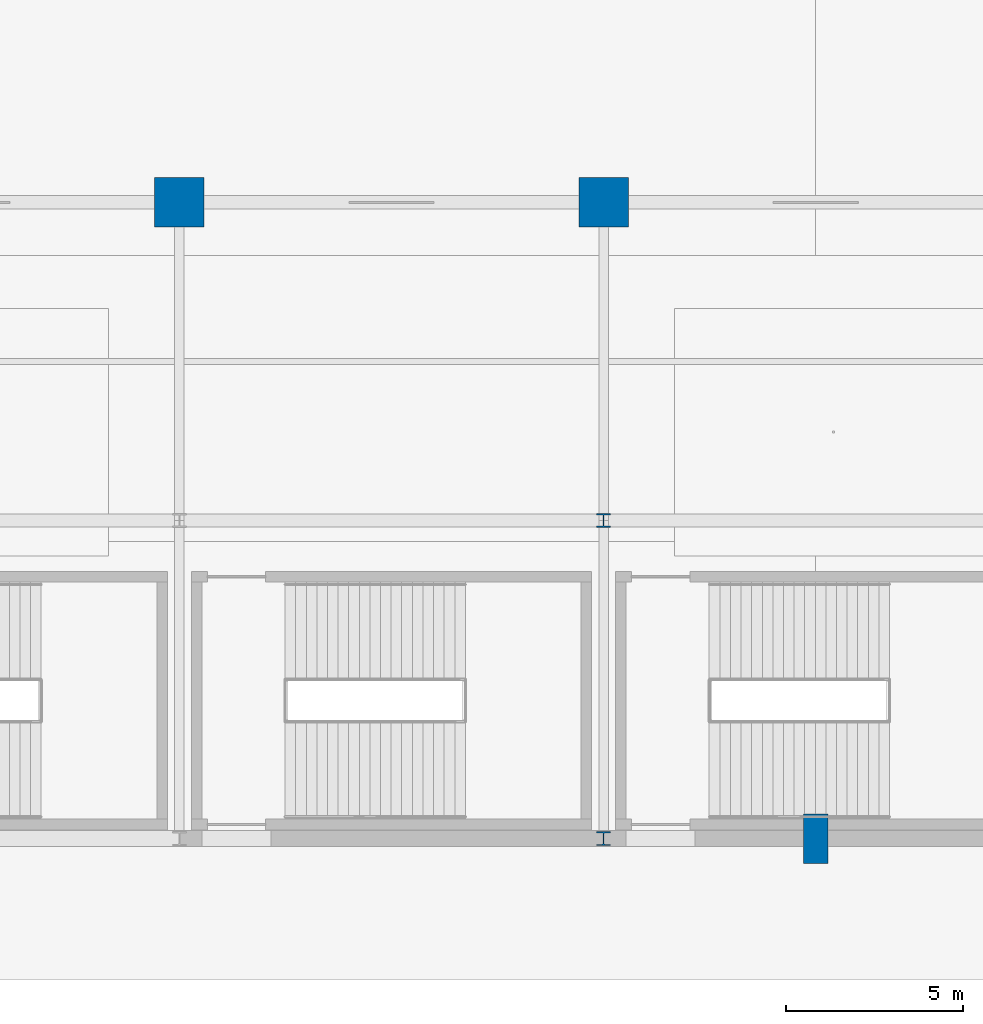
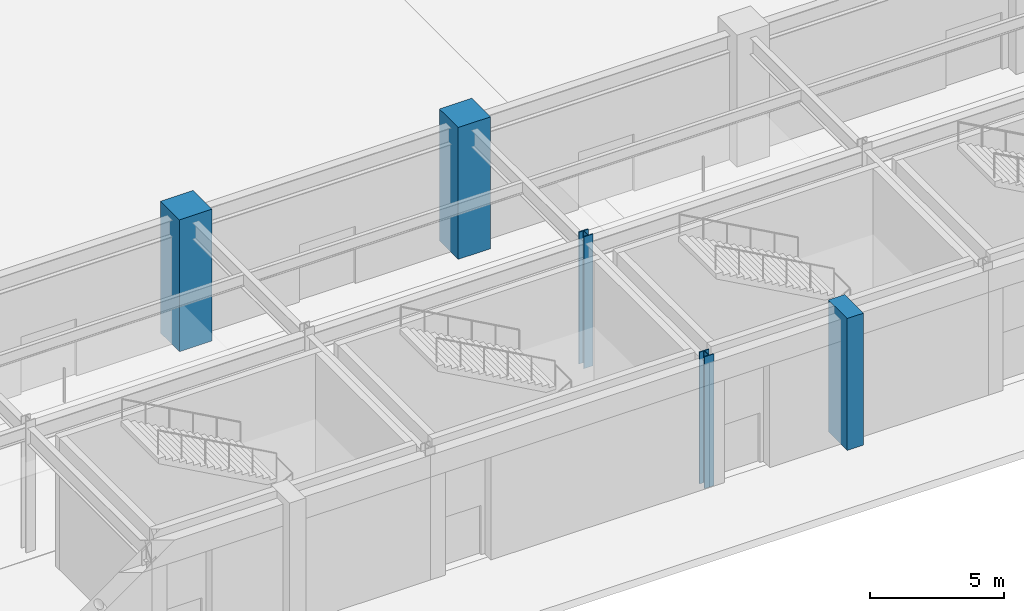
# One storey, part 2 of 44: 5 columns.
"""IFC4 building model written with IfcOpenShell, lengths in metres."""

from ifc_helpers import new_model, si_unit, direction, frame, origin, origin_2d, place, context, subcontext, project, spatial, rectangle, i_section, extrude, material, material_profile, profile_set, type_object, element, save


model = new_model("IFC4")

# Units and contexts
model_context = context("Model", 3, precision=1e-05, world=origin(), true_north=direction((0.0, 1.0)))
body_context = subcontext(model_context, "Body", "Model", "MODEL_VIEW")
ifc_project = project(units=[si_unit("LENGTHUNIT", "METRE"), si_unit("AREAUNIT", "SQUARE_METRE"), si_unit("VOLUMEUNIT", "CUBIC_METRE"), si_unit("PLANEANGLEUNIT", "RADIAN"), si_unit("MASSUNIT", "GRAM", prefix="KILO")], contexts=[model_context])

# Site, building, storey
site_placement = place(None, origin())
site = spatial("IfcSite", under=ifc_project, at=site_placement, CompositionType="ELEMENT")
building_placement = place(site_placement, origin())
building = spatial("IfcBuilding", under=site, at=building_placement, Name="Kaldorvane Square Convention Centre", CompositionType="ELEMENT")
storey_placement = place(building_placement, origin())
storey = spatial("IfcBuildingStorey", under=building, at=storey_placement, Name="L00", CompositionType="ELEMENT", Elevation=0.0)

# Columns
ifc_material_1 = material(Name="Concrete f'c = 55 MPa (Normalweight)", Category="concrete")
ifc_material_profile_1 = material_profile(ifc_material_1, rectangle(XDim=1.399993896484375, YDim=1.399993896484375, at=origin_2d()), Name="RC1400X1400")
ifc_profile_set_1 = profile_set([ifc_material_profile_1], Name="Concrete f'c = 55 MPa (Normalweight)")
column_type_1 = type_object("IfcColumnType", Name="COL-MEGA-1400", PredefinedType="COLUMN", material=ifc_profile_set_1)
for number, where, z_axis, x_axis, name in (
    (1, (42.0, 18.0, 0.0), (0.0, 0.0, 1.0), (1.0, 0.0, 0.0), "Column MC-01 (L00)"),
    (2, (54.0, 18.0, 0.0), (0.0, 0.0, 1.0), (1.0, 0.0, 0.0), "Column MC-01 (L00)"),
):
    element("IfcColumn", number, at=place(storey_placement, frame(where, z_axis=z_axis, x_axis=x_axis)), inside=storey, type_object=column_type_1, Name=name, PredefinedType="COLUMN", context=body_context, shape_type="SweptSolid", body=[
        extrude(rectangle(XDim=1.399993896484375, YDim=1.399993896484375, at=origin_2d()), origin(), (0.0, 0.0, 1.0), 6.0),
    ])
ifc_material_2 = material(Name="Steel ASTM A992 Gr. 50", Category="steel")
ifc_material_profile_2 = material_profile(ifc_material_2, i_section(OverallWidth=0.40130615234375, OverallDepth=0.3993072509765625, WebThickness=0.02490234375, FlangeThickness=0.0395965576171875, FilletRadius=0.0305023193359375, at=origin_2d()), Name="W14X211")
ifc_profile_set_2 = profile_set([ifc_material_profile_2], Name="Steel ASTM A992 Gr. 50")
column_type_2 = type_object("IfcColumnType", Name="COL-STL-211", PredefinedType="COLUMN", material=ifc_profile_set_2)
for number, where, z_axis, x_axis, name in (
    (3, (54.0, 0.0, 0.0), (0.0, 0.0, 1.0), (1.0, 0.0, 0.0), "Column SC-08 (L00)"),
    (4, (54.0, 9.0, 0.0), (0.0, 0.0, 1.0), (1.0, 0.0, 0.0), "Column SC-08 (L00)"),
):
    element("IfcColumn", number, at=place(storey_placement, frame(where, z_axis=z_axis, x_axis=x_axis)), inside=storey, type_object=column_type_2, Name=name, PredefinedType="COLUMN", context=body_context, shape_type="SweptSolid", body=[
        extrude(i_section(OverallWidth=0.40130615234375, OverallDepth=0.3993072509765625, WebThickness=0.02490234375, FlangeThickness=0.0395965576171875, FilletRadius=0.0305023193359375, at=origin_2d()), origin(), (0.0, 0.0, 1.0), 6.0),
    ])
ifc_material_profile_3 = material_profile(ifc_material_1, rectangle(XDim=0.6999969482421875, YDim=1.399993896484375, at=origin_2d()), Name="PIL1400X700")
ifc_profile_set_3 = profile_set([ifc_material_profile_3], Name="Concrete f'c = 55 MPa (Normalweight)")
column_type_3 = type_object("IfcColumnType", Name="PIL-BRUT-1400", PredefinedType="PILASTER", material=ifc_profile_set_3)
column_placement = place(storey_placement, frame((60.0, 0.0, 0.0), z_axis=(0.0, 0.0, 1.0), x_axis=(1.0, 0.0, 0.0)))
element("IfcColumn", 5, at=column_placement, inside=storey, type_object=column_type_3, Name="Brutalist Colonnade Pilaster (L00)", PredefinedType="PILASTER", context=body_context, shape_type="SweptSolid", body=[
    extrude(rectangle(XDim=0.6999969482421875, YDim=1.399993896484375, at=origin_2d()), origin(), (0.0, 0.0, 1.0), 6.0),
])

save(model, "model.ifc")
